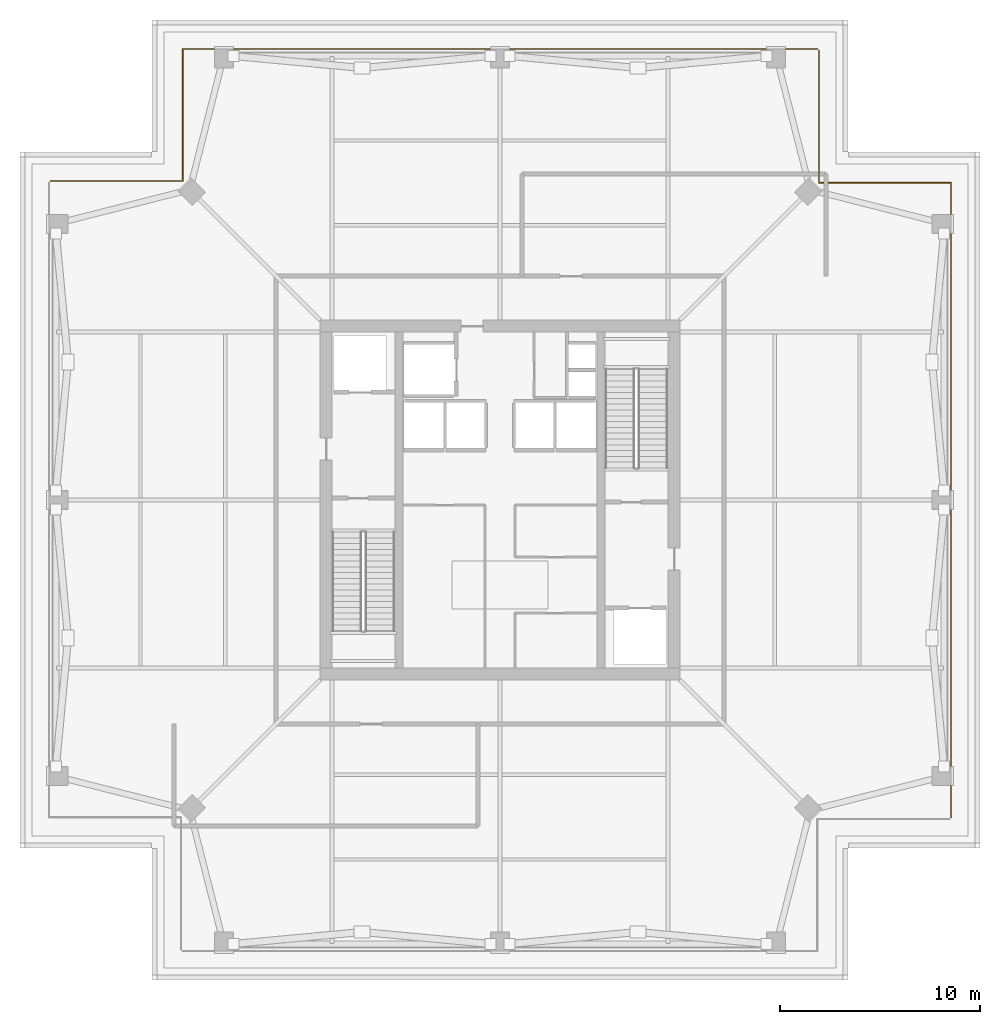
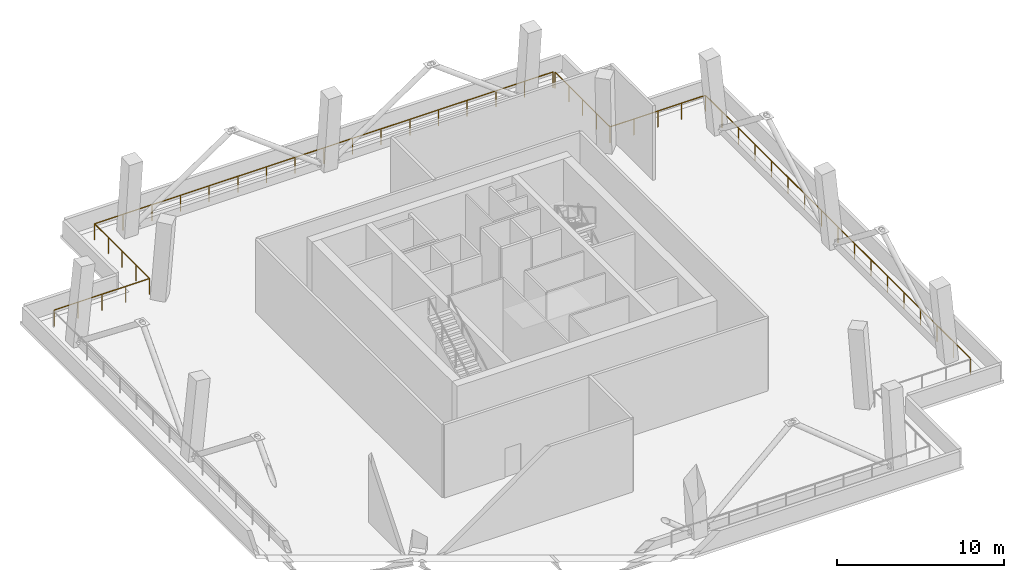
# One storey, part 7 of 7: 2 railings.
"""IFC4 building model written with IfcOpenShell, lengths in metres."""

import ifcopenshell
import ifcopenshell.guid

model = None  # the IFC model being written
_history = None  # IfcOwnerHistory: only IFC2X3 demands one
_inside = {}  # id of a spatial element -> (the spatial element, [elements in it])
_under = {}  # id of a project, library or spatial element -> (it, [spatial elements below it])
_declared = {}  # id of a project -> (the project, [libraries it declares])
_typed = {}  # id of a type object -> (the type object, [elements of that type])
_made_of = {}  # id of a material, layer set ... -> (it, [elements and type objects made of it])


def new_model(schema):
    """Start an empty IFC model of exactly this schema.

    Asked for "IFC4X3", IfcOpenShell would pick the latest addendum, in which some entities
    have other attributes; the version numbers below select the first issue.
    IFC2X3 requires an IfcOwnerHistory on every rooted entity: one is made here for all.
    """
    global model, _history
    if schema == "IFC4X3":
        model = ifcopenshell.file(schema_version=(4, 3, 0, 0))
    else:
        model = ifcopenshell.file(schema=schema)
    _inside.clear()
    _under.clear()
    _declared.clear()
    _typed.clear()
    _made_of.clear()
    _history = None
    if model.schema == "IFC2X3":
        org = make("IfcOrganization", Name="unknown")
        user = make(
            "IfcPersonAndOrganization",
            ThePerson=make("IfcPerson", FamilyName="unknown"),
            TheOrganization=org,
        )
        app = make(
            "IfcApplication",
            ApplicationDeveloper=org,
            Version="unknown",
            ApplicationFullName="unknown",
            ApplicationIdentifier="unknown",
        )
        _history = make(
            "IfcOwnerHistory",
            OwningUser=user,
            OwningApplication=app,
            ChangeAction="ADDED",
            CreationDate=0,
        )
    return model


def make(cls, **values):
    """One entity of the class cls with the attributes given. An attribute that is None is left unset."""
    return model.create_entity(
        cls, **{name: value for name, value in values.items() if value is not None}
    )


def rooted(cls, **values):
    """An entity with a GlobalId (a new one), such as an element, a storey or a relation."""
    return make(cls, GlobalId=ifcopenshell.guid.new(), OwnerHistory=_history, **values)


def si_unit(unit_type, name, prefix=None):
    """IfcSIUnit, for example si_unit("LENGTHUNIT", "METRE", prefix="MILLI")."""
    return make("IfcSIUnit", UnitType=unit_type, Prefix=prefix, Name=name)


def assignment(units):
    """IfcUnitAssignment: the units of a project."""
    return None if units is None else make("IfcUnitAssignment", Units=units)


def point(xyz):
    """IfcCartesianPoint."""
    return None if xyz is None else make("IfcCartesianPoint", Coordinates=xyz)


def direction(xyz):
    """IfcDirection."""
    return None if xyz is None else make("IfcDirection", DirectionRatios=xyz)


def frame(location, z_axis=None, x_axis=None):
    """IfcAxis2Placement3D, a coordinate frame: its origin and axes. An axis left out is left unset."""
    return make(
        "IfcAxis2Placement3D",
        Location=point(location),
        Axis=direction(z_axis),
        RefDirection=direction(x_axis),
    )


def frame_2d(location, x_axis=None):
    """IfcAxis2Placement2D, a coordinate frame in the plane: its origin and x axis."""
    return make(
        "IfcAxis2Placement2D", Location=point(location), RefDirection=direction(x_axis)
    )


def origin():
    """The frame at (0, 0, 0) with its axes left unset."""
    return frame((0.0, 0.0, 0.0))


def origin_2d():
    """The frame at (0, 0) in the plane with its x axis left unset."""
    return frame_2d((0.0, 0.0))


def place(relative_to, where):
    """IfcLocalPlacement: puts the frame where relative to a parent placement (None: the world)."""
    return make(
        "IfcLocalPlacement", PlacementRelTo=relative_to, RelativePlacement=where
    )


def context(
    kind, dimensions, precision=None, world=None, true_north=None, identifier=None
):
    """IfcGeometricRepresentationContext, for example the 3D "Model" context."""
    return make(
        "IfcGeometricRepresentationContext",
        ContextIdentifier=identifier,
        ContextType=kind,
        CoordinateSpaceDimension=dimensions,
        Precision=precision,
        WorldCoordinateSystem=world,
        TrueNorth=true_north,
    )


def subcontext(parent, identifier, kind, view, scale=None):
    """IfcGeometricRepresentationSubContext, for example "Body" below "Model"."""
    return make(
        "IfcGeometricRepresentationSubContext",
        ContextIdentifier=identifier,
        ContextType=kind,
        ParentContext=parent,
        TargetScale=scale,
        TargetView=view,
    )


def project(units=None, contexts=None):
    """IfcProject with its units and contexts."""
    return rooted(
        "IfcProject",
        Name="project",
        RepresentationContexts=contexts,
        UnitsInContext=assignment(units),
    )


def spatial(cls, under=None, at=None, **own):
    """A site, building, storey or space (cls), placed at a placement, below another one or the project."""
    s = rooted(cls, ObjectPlacement=at, **own)
    if under is not None:
        _under.setdefault(under.id(), (under, []))[1].append(s)
    return s


def profile(cls, at=None, kind="AREA", **sizes):
    """A parametric profile (cls). Its sizes go by their IFC names, for example OverallWidth=200.0."""
    return make(cls, ProfileType=kind, Position=at, **sizes)


def rectangle(**sizes):
    """IfcRectangleProfileDef."""
    return profile("IfcRectangleProfileDef", **sizes)


def extrude(swept, where, along, depth):
    """IfcExtrudedAreaSolid: the profile swept, set in the frame where, extruded along a direction by depth."""
    return make(
        "IfcExtrudedAreaSolid",
        SweptArea=swept,
        Position=where,
        ExtrudedDirection=direction(along),
        Depth=depth,
    )


def shape(context_of_items, identifier, shape_type, items):
    """IfcShapeRepresentation: the items that make up one representation, for example the "Body"."""
    return make(
        "IfcShapeRepresentation",
        ContextOfItems=context_of_items,
        RepresentationIdentifier=identifier,
        RepresentationType=shape_type,
        Items=items,
    )


def material(Name=None, Category=None):
    """IfcMaterial."""
    return make("IfcMaterial", Name=Name, Category=Category)


def made_of(thing, what):
    """Note that an element or type object is made of a material, layer set ...; save() writes the relation."""
    if what is not None:
        _made_of.setdefault(what.id(), (what, []))[1].append(thing)
    return thing


def type_object(cls, material=None, **own):
    """A type object (cls), such as IfcWallType, which elements share."""
    return made_of(rooted(cls, **own), material)


def element(
    cls,
    number,
    at=None,
    inside=None,
    cuts=None,
    type_object=None,
    material=None,
    context=None,
    identifier="Body",
    shape_type=None,
    held_by="IfcProductDefinitionShape",
    body=None,
    shapes=None,
    **own,
):
    """One element of the class cls, such as IfcWall. Its Tag is "e" and its number.

    at: its placement. inside: the storey or other place that contains it. cuts: it is an
    opening in that element (IfcRelVoidsElement). A single representation is given by context,
    identifier, shape_type and body (its items); several are given by shapes. held_by: the class
    of the entity that holds the representations. save() writes the other relations.
    """
    e = rooted(cls, Tag="e%d" % number, ObjectPlacement=at, **own)
    if body is not None:
        shapes = [shape(context, identifier, shape_type, body)]
    if shapes is not None:
        e.Representation = make(held_by, Representations=shapes)
    if inside is not None:
        _inside.setdefault(inside.id(), (inside, []))[1].append(e)
    if cuts is not None:
        rooted(
            "IfcRelVoidsElement", RelatingBuildingElement=cuts, RelatedOpeningElement=e
        )
    if type_object is not None:
        _typed.setdefault(type_object.id(), (type_object, []))[1].append(e)
    return made_of(e, material)


def aggregate(whole, parts):
    """IfcRelAggregates: a whole, such as a stair, and the parts it consists of."""
    return rooted("IfcRelAggregates", RelatingObject=whole, RelatedObjects=parts)


def save(model, path):
    """Write the relations noted so far, then the file.

    IfcRelAggregates (storeys below a building ...), IfcRelContainedInSpatialStructure (elements
    in a storey), IfcRelDefinesByType, IfcRelAssociatesMaterial and IfcRelDeclares: one each for
    every whole, place, type object, material and project.
    """
    for whole, parts in _under.values():
        aggregate(whole, parts)
    for where, things in _inside.values():
        rooted(
            "IfcRelContainedInSpatialStructure",
            RelatedElements=things,
            RelatingStructure=where,
        )
    for kind, things in _typed.values():
        rooted("IfcRelDefinesByType", RelatedObjects=things, RelatingType=kind)
    for what, things in _made_of.values():
        rooted("IfcRelAssociatesMaterial", RelatedObjects=things, RelatingMaterial=what)
    for by, libraries in _declared.values():
        rooted("IfcRelDeclares", RelatingContext=by, RelatedDefinitions=libraries)
    model.write(path)


model = new_model("IFC4")

# Units and contexts
model_context = context("Model", 3, precision=1e-05, world=origin(), true_north=direction((0.0, 1.0)))
body_context = subcontext(model_context, "Body", "Model", "MODEL_VIEW")
ifc_project = project(units=[si_unit("LENGTHUNIT", "METRE"), si_unit("AREAUNIT", "SQUARE_METRE"), si_unit("VOLUMEUNIT", "CUBIC_METRE"), si_unit("PLANEANGLEUNIT", "RADIAN"), si_unit("MASSUNIT", "GRAM", prefix="KILO")], contexts=[model_context])

# Site, building, storey
site_placement = place(None, origin())
site = spatial("IfcSite", under=ifc_project, at=site_placement, CompositionType="ELEMENT")
building_placement = place(site_placement, origin())
building = spatial("IfcBuilding", under=site, at=building_placement, Name="Belovzor Exchange Tower", CompositionType="ELEMENT")
storey_placement = place(building_placement, frame((0.0, 0.0, 289.5)))
storey = spatial("IfcBuildingStorey", under=building, at=storey_placement, Name="L72", CompositionType="ELEMENT", Elevation=289.5)

# Railings
ifc_material = material(Name="Steel S355", Category="steel")
railing_type = type_object("IfcRailingType", Name="Galvanised Steel Perimeter Safety Guardrail 1200", PredefinedType="GUARDRAIL", material=ifc_material)
railing_1_placement = place(storey_placement, frame((51.35009765625, 12.929931640625, 0.0)))
element("IfcRailing", 1, at=railing_1_placement, inside=storey, type_object=railing_type, Name="GR-2 Wind-Portal Perimeter Guardrail L72 E", PredefinedType="GUARDRAIL", context=body_context, shape_type="SweptSolid", body=[
    extrude(rectangle(XDim=0.048095703125, YDim=0.048095703125, at=origin_2d()), frame((0.0, 0.0, 1.17578125), z_axis=(0.0, 1.0, 0.0), x_axis=(-1.0, 0.0, 0.0)), (0.0, 0.0, 1.0), 31.739990234375),
    extrude(rectangle(XDim=0.048095703125, YDim=0.048095703125, at=origin_2d()), frame((0.0, 31.739990234375, 1.17578125), z_axis=(-1.0, 0.0, 0.0), x_axis=(0.0, -1.0, 0.0)), (0.0, 0.0, 1.0), 6.60009765625),
    extrude(rectangle(XDim=0.048095703125, YDim=0.048095703125, at=origin_2d()), frame((-6.60009765625, 31.739990234375, 1.17578125), z_axis=(0.0, 1.0, 0.0), x_axis=(-1.0, 0.0, 0.0)), (0.0, 0.0, 1.0), 6.60009765625),
    extrude(rectangle(XDim=0.0419921875, YDim=0.0419921875, at=origin_2d()), origin(), (0.0, 0.0, 1.0), 1.15185546875),
    extrude(rectangle(XDim=0.0419921875, YDim=0.0419921875, at=origin_2d()), frame((0.0, 1.983642578125, 0.0)), (0.0, 0.0, 1.0), 1.15185546875),
    extrude(rectangle(XDim=0.0419921875, YDim=0.0419921875, at=origin_2d()), frame((0.0, 3.967529296875, 0.0)), (0.0, 0.0, 1.0), 1.15185546875),
    extrude(rectangle(XDim=0.0419921875, YDim=0.0419921875, at=origin_2d()), frame((0.0, 5.951171875, 0.0)), (0.0, 0.0, 1.0), 1.15185546875),
    extrude(rectangle(XDim=0.0419921875, YDim=0.0419921875, at=origin_2d()), frame((0.0, 7.93505859375, 0.0)), (0.0, 0.0, 1.0), 1.15185546875),
    extrude(rectangle(XDim=0.0419921875, YDim=0.0419921875, at=origin_2d()), frame((0.0, 9.918701171875, 0.0)), (0.0, 0.0, 1.0), 1.15185546875),
    extrude(rectangle(XDim=0.0419921875, YDim=0.0419921875, at=origin_2d()), frame((0.0, 11.902587890625, 0.0)), (0.0, 0.0, 1.0), 1.15185546875),
    extrude(rectangle(XDim=0.0419921875, YDim=0.0419921875, at=origin_2d()), frame((0.0, 13.88623046875, 0.0)), (0.0, 0.0, 1.0), 1.15185546875),
    extrude(rectangle(XDim=0.0419921875, YDim=0.0419921875, at=origin_2d()), frame((0.0, 15.8701171875, 0.0)), (0.0, 0.0, 1.0), 1.15185546875),
    extrude(rectangle(XDim=0.0419921875, YDim=0.0419921875, at=origin_2d()), frame((0.0, 17.853759765625, 0.0)), (0.0, 0.0, 1.0), 1.15185546875),
    extrude(rectangle(XDim=0.0419921875, YDim=0.0419921875, at=origin_2d()), frame((0.0, 19.83740234375, 0.0)), (0.0, 0.0, 1.0), 1.15185546875),
    extrude(rectangle(XDim=0.0419921875, YDim=0.0419921875, at=origin_2d()), frame((0.0, 21.8212890625, 0.0)), (0.0, 0.0, 1.0), 1.15185546875),
    extrude(rectangle(XDim=0.0419921875, YDim=0.0419921875, at=origin_2d()), frame((0.0, 23.804931640625, 0.0)), (0.0, 0.0, 1.0), 1.15185546875),
    extrude(rectangle(XDim=0.0419921875, YDim=0.0419921875, at=origin_2d()), frame((0.0, 25.788818359375, 0.0)), (0.0, 0.0, 1.0), 1.15185546875),
    extrude(rectangle(XDim=0.0419921875, YDim=0.0419921875, at=origin_2d()), frame((0.0, 27.7724609375, 0.0)), (0.0, 0.0, 1.0), 1.15185546875),
    extrude(rectangle(XDim=0.0419921875, YDim=0.0419921875, at=origin_2d()), frame((0.0, 29.75634765625, 0.0)), (0.0, 0.0, 1.0), 1.15185546875),
    extrude(rectangle(XDim=0.0419921875, YDim=0.0419921875, at=origin_2d()), frame((0.0, 31.739990234375, 0.0)), (0.0, 0.0, 1.0), 1.15185546875),
    extrude(rectangle(XDim=0.0419921875, YDim=0.0419921875, at=origin_2d()), frame((-1.64990234375, 31.739990234375, 0.0)), (0.0, 0.0, 1.0), 1.15185546875),
    extrude(rectangle(XDim=0.0419921875, YDim=0.0419921875, at=origin_2d()), frame((-3.300048828125, 31.739990234375, 0.0)), (0.0, 0.0, 1.0), 1.15185546875),
    extrude(rectangle(XDim=0.0419921875, YDim=0.0419921875, at=origin_2d()), frame((-4.9501953125, 31.739990234375, 0.0)), (0.0, 0.0, 1.0), 1.15185546875),
    extrude(rectangle(XDim=0.0419921875, YDim=0.0419921875, at=origin_2d()), frame((-6.60009765625, 31.739990234375, 0.0)), (0.0, 0.0, 1.0), 1.15185546875),
    extrude(rectangle(XDim=0.0419921875, YDim=0.0419921875, at=origin_2d()), frame((-6.60009765625, 33.39013671875, 0.0)), (0.0, 0.0, 1.0), 1.15185546875),
    extrude(rectangle(XDim=0.0419921875, YDim=0.0419921875, at=origin_2d()), frame((-6.60009765625, 35.0400390625, 0.0)), (0.0, 0.0, 1.0), 1.15185546875),
    extrude(rectangle(XDim=0.0419921875, YDim=0.0419921875, at=origin_2d()), frame((-6.60009765625, 36.68994140625, 0.0)), (0.0, 0.0, 1.0), 1.15185546875),
    extrude(rectangle(XDim=0.0419921875, YDim=0.0419921875, at=origin_2d()), frame((-6.60009765625, 38.340087890625, 0.0)), (0.0, 0.0, 1.0), 1.15185546875),
])
railing_2_placement = place(storey_placement, frame((44.669921875, 51.35009765625, 0.0)))
element("IfcRailing", 2, at=railing_2_placement, inside=storey, type_object=railing_type, Name="GR-2 Wind-Portal Perimeter Guardrail L72 N", PredefinedType="GUARDRAIL", context=body_context, shape_type="SweptSolid", body=[
    extrude(rectangle(XDim=0.048095703125, YDim=0.048095703125, at=origin_2d()), frame((0.0, 0.0, 1.17578125), z_axis=(-1.0, 0.0, 0.0), x_axis=(0.0, -1.0, 0.0)), (0.0, 0.0, 1.0), 31.739990234375),
    extrude(rectangle(XDim=0.048095703125, YDim=0.048095703125, at=origin_2d()), frame((-31.739990234375, 0.0, 1.17578125), z_axis=(0.0, -1.0, 0.0), x_axis=(1.0, 0.0, 0.0)), (0.0, 0.0, 1.0), 6.60009765625),
    extrude(rectangle(XDim=0.048095703125, YDim=0.048095703125, at=origin_2d()), frame((-31.739990234375, -6.60009765625, 1.17578125), z_axis=(-1.0, 0.0, 0.0), x_axis=(0.0, -1.0, 0.0)), (0.0, 0.0, 1.0), 6.599853515625),
    extrude(rectangle(XDim=0.0419921875, YDim=0.0419921875, at=origin_2d()), origin(), (0.0, 0.0, 1.0), 1.15185546875),
    extrude(rectangle(XDim=0.0419921875, YDim=0.0419921875, at=origin_2d()), frame((-1.983642578125, 0.0, 0.0)), (0.0, 0.0, 1.0), 1.15185546875),
    extrude(rectangle(XDim=0.0419921875, YDim=0.0419921875, at=origin_2d()), frame((-3.967529296875, 0.0, 0.0)), (0.0, 0.0, 1.0), 1.15185546875),
    extrude(rectangle(XDim=0.0419921875, YDim=0.0419921875, at=origin_2d()), frame((-5.951171875, 0.0, 0.0)), (0.0, 0.0, 1.0), 1.15185546875),
    extrude(rectangle(XDim=0.0419921875, YDim=0.0419921875, at=origin_2d()), frame((-7.93505859375, 0.0, 0.0)), (0.0, 0.0, 1.0), 1.15185546875),
    extrude(rectangle(XDim=0.0419921875, YDim=0.0419921875, at=origin_2d()), frame((-9.918701171875, 0.0, 0.0)), (0.0, 0.0, 1.0), 1.15185546875),
    extrude(rectangle(XDim=0.0419921875, YDim=0.0419921875, at=origin_2d()), frame((-11.902587890625, 0.0, 0.0)), (0.0, 0.0, 1.0), 1.15185546875),
    extrude(rectangle(XDim=0.0419921875, YDim=0.0419921875, at=origin_2d()), frame((-13.88623046875, 0.0, 0.0)), (0.0, 0.0, 1.0), 1.15185546875),
    extrude(rectangle(XDim=0.0419921875, YDim=0.0419921875, at=origin_2d()), frame((-15.8701171875, 0.0, 0.0)), (0.0, 0.0, 1.0), 1.15185546875),
    extrude(rectangle(XDim=0.0419921875, YDim=0.0419921875, at=origin_2d()), frame((-17.853759765625, 0.0, 0.0)), (0.0, 0.0, 1.0), 1.15185546875),
    extrude(rectangle(XDim=0.0419921875, YDim=0.0419921875, at=origin_2d()), frame((-19.83740234375, 0.0, 0.0)), (0.0, 0.0, 1.0), 1.15185546875),
    extrude(rectangle(XDim=0.0419921875, YDim=0.0419921875, at=origin_2d()), frame((-21.8212890625, 0.0, 0.0)), (0.0, 0.0, 1.0), 1.15185546875),
    extrude(rectangle(XDim=0.0419921875, YDim=0.0419921875, at=origin_2d()), frame((-23.804931640625, 0.0, 0.0)), (0.0, 0.0, 1.0), 1.15185546875),
    extrude(rectangle(XDim=0.0419921875, YDim=0.0419921875, at=origin_2d()), frame((-25.788818359375, 0.0, 0.0)), (0.0, 0.0, 1.0), 1.15185546875),
    extrude(rectangle(XDim=0.0419921875, YDim=0.0419921875, at=origin_2d()), frame((-27.7724609375, 0.0, 0.0)), (0.0, 0.0, 1.0), 1.15185546875),
    extrude(rectangle(XDim=0.0419921875, YDim=0.0419921875, at=origin_2d()), frame((-29.75634765625, 0.0, 0.0)), (0.0, 0.0, 1.0), 1.15185546875),
    extrude(rectangle(XDim=0.0419921875, YDim=0.0419921875, at=origin_2d()), frame((-31.739990234375, 0.0, 0.0)), (0.0, 0.0, 1.0), 1.15185546875),
    extrude(rectangle(XDim=0.0419921875, YDim=0.0419921875, at=origin_2d()), frame((-31.739990234375, -1.64990234375, 0.0)), (0.0, 0.0, 1.0), 1.15185546875),
    extrude(rectangle(XDim=0.0419921875, YDim=0.0419921875, at=origin_2d()), frame((-31.739990234375, -3.300048828125, 0.0)), (0.0, 0.0, 1.0), 1.15185546875),
    extrude(rectangle(XDim=0.0419921875, YDim=0.0419921875, at=origin_2d()), frame((-31.739990234375, -4.9501953125, 0.0)), (0.0, 0.0, 1.0), 1.15185546875),
    extrude(rectangle(XDim=0.0419921875, YDim=0.0419921875, at=origin_2d()), frame((-31.739990234375, -6.60009765625, 0.0)), (0.0, 0.0, 1.0), 1.15185546875),
    extrude(rectangle(XDim=0.0419921875, YDim=0.0419921875, at=origin_2d()), frame((-33.389892578125, -6.60009765625, 0.0)), (0.0, 0.0, 1.0), 1.15185546875),
    extrude(rectangle(XDim=0.0419921875, YDim=0.0419921875, at=origin_2d()), frame((-35.0400390625, -6.60009765625, 0.0)), (0.0, 0.0, 1.0), 1.15185546875),
    extrude(rectangle(XDim=0.0419921875, YDim=0.0419921875, at=origin_2d()), frame((-36.68994140625, -6.60009765625, 0.0)), (0.0, 0.0, 1.0), 1.15185546875),
    extrude(rectangle(XDim=0.0419921875, YDim=0.0419921875, at=origin_2d()), frame((-38.33984375, -6.60009765625, 0.0)), (0.0, 0.0, 1.0), 1.15185546875),
])

save(model, "model.ifc")
